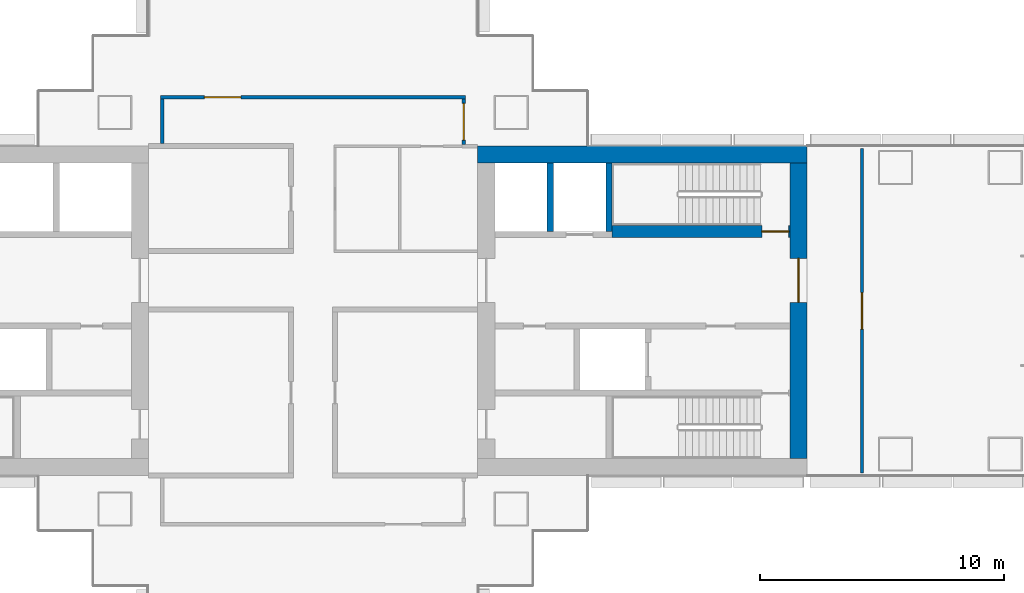
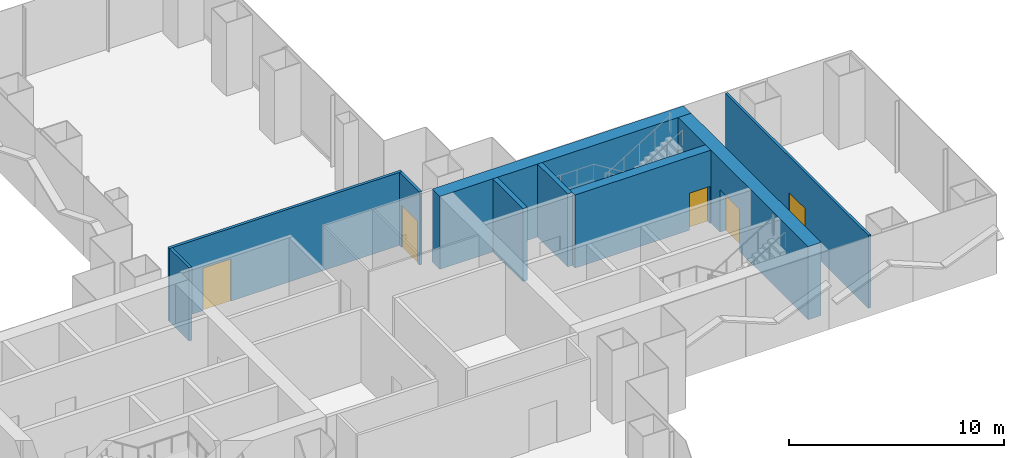
# One storey, part 17 of 22: 9 walls, 5 doors, 5 openings.
"""IFC4 building model written with IfcOpenShell, lengths in metres."""

from ifc_helpers import new_model, si_unit, direction, frame, frame_2d, origin, place, context, subcontext, project, spatial, rectangle, extrude, material, layer, layer_set, type_object, element, fill, save


model = new_model("IFC4")

# Units and contexts
model_context = context("Model", 3, precision=1e-05, world=origin(), true_north=direction((0.0, 1.0)))
body_context = subcontext(model_context, "Body", "Model", "MODEL_VIEW")
ifc_project = project(units=[si_unit("LENGTHUNIT", "METRE"), si_unit("AREAUNIT", "SQUARE_METRE"), si_unit("VOLUMEUNIT", "CUBIC_METRE"), si_unit("PLANEANGLEUNIT", "RADIAN"), si_unit("MASSUNIT", "GRAM", prefix="KILO")], contexts=[model_context])

# Site, building, storey
site_placement = place(None, origin())
site = spatial("IfcSite", under=ifc_project, at=site_placement, CompositionType="ELEMENT")
building_placement = place(site_placement, origin())
building = spatial("IfcBuilding", under=site, at=building_placement, Name="Shamsa Quay Exchange Towers", CompositionType="ELEMENT")
storey_placement = place(building_placement, frame((0.0, 0.0, 33.0)))
storey = spatial("IfcBuildingStorey", under=building, at=storey_placement, Name="L06", CompositionType="ELEMENT", Elevation=33.0)

# Wall
ifc_material_1 = material(Name="Concrete C80/95", Category="concrete")
ifc_layer_1 = layer(ifc_material_1, 0.699951171875)
ifc_layer_set_1 = layer_set([ifc_layer_1], Name="CORE WALL 700 C80/95")
wall_type_1 = type_object("IfcWallType", Name="CORE WALL 700 C80/95", PredefinedType="SHEAR", material=ifc_layer_set_1)
wall_1_placement = place(storey_placement, frame((54.0, 6.39990234375, 0.0), z_axis=(0.0, 0.0, 1.0), x_axis=(-1.0, 0.0, 0.0)))
element("IfcWall", 1, at=wall_1_placement, inside=storey, type_object=wall_type_1, Name="Core wall T2B-R02-PN", PredefinedType="SHEAR", context=body_context, shape_type="SweptSolid", body=[
    extrude(rectangle(XDim=13.5, YDim=0.699951171875, at=frame_2d((6.75, 0.0))), origin(), (0.0, 0.0, 1.0), 4.14990234375),
])

# Wall, opening, door
wall_2_placement = place(storey_placement, frame((53.64990234375, -6.050048828125, 0.0), z_axis=(0.0, 0.0, 1.0), x_axis=(0.0, 1.0, 0.0)))
wall_2 = element("IfcWall", 2, at=wall_2_placement, inside=storey, type_object=wall_type_1, Name="Core wall T2B-R02-PF", PredefinedType="SHEAR", context=body_context, shape_type="SweptSolid", body=[
    extrude(rectangle(XDim=12.10009765625, YDim=0.699951171875, at=frame_2d((6.050048828125, 0.0))), origin(), (0.0, 0.0, 1.0), 4.14990234375),
])
opening_1_placement = place(wall_2_placement, frame((6.39990234375, 0.0, 0.0)))
opening_1 = element("IfcOpeningElement", 3, at=opening_1_placement, cuts=wall_2, Name="Opening T2B-R02-LBD01", PredefinedType="OPENING", context=body_context, shape_type="SweptSolid", body=[
    extrude(rectangle(XDim=1.800048828125, YDim=2.39990234375, at=frame_2d((0.89990234375, 1.199951171875))), frame((0.0, 0.35986328125, 0.0), z_axis=(0.0, -1.0, 0.0), x_axis=(1.0, 0.0, 0.0)), (0.0, 0.0, 1.0), 0.719970703125),
])
ifc_material_2 = material(Name="Steel, fire rated", Category="steel")
door_type_1 = type_object("IfcDoorType", Name="LIFT LOBBY DOOR PAIR 1800", OperationType="DOUBLE_DOOR_SINGLE_SWING", PredefinedType="DOOR", material=ifc_material_2)
door_1_placement = place(opening_1_placement, origin())
door_1 = element("IfcDoor", 4, at=door_1_placement, inside=storey, type_object=door_type_1, Name="T2B-R02-LBD01", OperationType="DOUBLE_DOOR_SINGLE_SWING", OverallHeight=2.39990234375, OverallWidth=1.800048828125, PredefinedType="DOOR", context=body_context, shape_type="SweptSolid", body=[
    extrude(rectangle(XDim=1.800048828125, YDim=2.39990234375, at=frame_2d((0.89990234375, 1.199951171875))), frame((0.0, 0.02490234375, 0.0), z_axis=(0.0, -1.0, 0.0), x_axis=(1.0, 0.0, 0.0)), (0.0, 0.0, 1.0), 0.050048828125),
])
fill(opening_1, door_1)

ifc_material_3 = material(Name="Laminated fire-resisting glass in a metal frame", Category="glass")
ifc_layer_2 = layer(ifc_material_3, 0.125)
ifc_layer_set_2 = layer_set([ifc_layer_2], Name="Glazed partition 125 mm EI 60")
wall_type_2 = type_object("IfcWallType", Name="Glazed partition 125 mm EI 60", PredefinedType="PARTITIONING", material=ifc_layer_set_2)
wall_3_placement = place(storey_placement, frame((56.25, -6.655029296875, 0.0), z_axis=(0.0, 0.0, 1.0), x_axis=(0.0, 1.0, 0.0)))
wall_3 = element("IfcWall", 5, at=wall_3_placement, inside=storey, type_object=wall_type_2, Name="Partition T2-R02-W19", PredefinedType="PARTITIONING", context=body_context, shape_type="SweptSolid", body=[
    extrude(rectangle(XDim=13.31005859375, YDim=0.125, at=frame_2d((6.655029296875, 0.0))), origin(), (0.0, 0.0, 1.0), 4.14990234375),
])
opening_2_placement = place(wall_3_placement, frame((5.905029296875, 0.0, 0.0)))
opening_2 = element("IfcOpeningElement", 6, at=opening_2_placement, cuts=wall_3, Name="Opening T2-R02-D01", PredefinedType="OPENING", context=body_context, shape_type="SweptSolid", body=[
    extrude(rectangle(XDim=1.5, YDim=2.10009765625, at=frame_2d((0.75, 1.050048828125))), frame((0.0, 0.072509765625, 0.0), z_axis=(0.0, -1.0, 0.0), x_axis=(1.0, 0.0, 0.0)), (0.0, 0.0, 1.0), 0.14501953125),
])
ifc_material_4 = material(Name="Timber door leaf in a metal frame", Category="wood")
door_type_2 = type_object("IfcDoorType", Name="Door 1500x2100 FD30S pair", OperationType="NOTDEFINED", PredefinedType="DOOR", material=ifc_material_4)
door_2_placement = place(opening_2_placement, origin())
door_2 = element("IfcDoor", 7, at=door_2_placement, inside=storey, type_object=door_type_2, Name="Door T2-R02-D01", OperationType="DOUBLE_DOOR_SINGLE_SWING", OverallHeight=2.10009765625, OverallWidth=1.5, PredefinedType="DOOR", context=body_context, shape_type="SweptSolid", body=[
    extrude(rectangle(XDim=1.5, YDim=2.10009765625, at=frame_2d((0.75, 1.050048828125))), frame((0.0, 0.02490234375, 0.0), z_axis=(0.0, -1.0, 0.0), x_axis=(1.0, 0.0, 0.0)), (0.0, 0.0, 1.0), 0.050048828125),
])
fill(opening_2, door_2)

ifc_material_5 = material(Name="Gypsum board partition on metal studs")
ifc_layer_3 = layer(ifc_material_5, 0.14990234375)
ifc_layer_set_3 = layer_set([ifc_layer_3], Name="Partition 150 mm EI 60")
wall_type_3 = type_object("IfcWallType", Name="Partition 150 mm EI 60", PredefinedType="PARTITIONING", material=ifc_layer_set_3)
wall_4_placement = place(storey_placement, frame((39.9248046875, 6.824951171875, 0.0), z_axis=(0.0, 0.0, 1.0), x_axis=(0.0, 1.0, 0.0)))
wall_4 = element("IfcWall", 8, at=wall_4_placement, inside=storey, type_object=wall_type_3, Name="Partition T2-R02-W13", PredefinedType="PARTITIONING", context=body_context, shape_type="SweptSolid", body=[
    extrude(rectangle(XDim=1.85009765625, YDim=0.14990234375, at=frame_2d((0.925048828125, 0.0))), origin(), (0.0, 0.0, 1.0), 4.14990234375),
])
opening_3_placement = place(wall_4_placement, frame((0.175048828125, 0.0, 0.0)))
opening_3 = element("IfcOpeningElement", 9, at=opening_3_placement, cuts=wall_4, Name="Opening T2-R02-D04", PredefinedType="OPENING", context=body_context, shape_type="SweptSolid", body=[
    extrude(rectangle(XDim=1.5, YDim=2.39990234375, at=frame_2d((0.75, 1.199951171875))), frame((0.0, 0.0849609375, 0.0), z_axis=(0.0, -1.0, 0.0), x_axis=(1.0, 0.0, 0.0)), (0.0, 0.0, 1.0), 0.169921875),
])
door_type_3 = type_object("IfcDoorType", Name="Door 1500x2400 FD30S pair", OperationType="NOTDEFINED", PredefinedType="DOOR", material=ifc_material_4)
door_3_placement = place(opening_3_placement, origin())
door_3 = element("IfcDoor", 10, at=door_3_placement, inside=storey, type_object=door_type_3, Name="Door T2-R02-D04", OperationType="DOUBLE_DOOR_SINGLE_SWING", OverallHeight=2.39990234375, OverallWidth=1.5, PredefinedType="DOOR", context=body_context, shape_type="SweptSolid", body=[
    extrude(rectangle(XDim=1.5, YDim=2.39990234375, at=frame_2d((0.75, 1.199951171875))), frame((0.0, 0.02490234375, 0.0), z_axis=(0.0, -1.0, 0.0), x_axis=(1.0, 0.0, 0.0)), (0.0, 0.0, 1.0), 0.050048828125),
])
fill(opening_3, door_3)

wall_5_placement = place(storey_placement, frame((39.999755859375, 8.75, 0.0), z_axis=(0.0, 0.0, 1.0), x_axis=(-1.0, 0.0, 0.0)))
wall_5 = element("IfcWall", 11, at=wall_5_placement, inside=storey, type_object=wall_type_3, Name="Partition T2-R02-W15", PredefinedType="PARTITIONING", context=body_context, shape_type="SweptSolid", body=[
    extrude(rectangle(XDim=12.49951171875, YDim=0.14990234375, at=frame_2d((6.249755859375, 0.0))), origin(), (0.0, 0.0, 1.0), 4.14990234375),
])
opening_4_placement = place(wall_5_placement, frame((9.20458984375, 0.0, 0.0)))
opening_4 = element("IfcOpeningElement", 12, at=opening_4_placement, cuts=wall_5, Name="Opening T2-R02-D10", PredefinedType="OPENING", context=body_context, shape_type="SweptSolid", body=[
    extrude(rectangle(XDim=1.5, YDim=2.39990234375, at=frame_2d((0.75, 1.199951171875))), frame((0.0, 0.0849609375, 0.0), z_axis=(0.0, -1.0, 0.0), x_axis=(1.0, 0.0, 0.0)), (0.0, 0.0, 1.0), 0.169921875),
])
door_4_placement = place(opening_4_placement, origin())
door_4 = element("IfcDoor", 13, at=door_4_placement, inside=storey, type_object=door_type_3, Name="Door T2-R02-D10", OperationType="DOUBLE_DOOR_SINGLE_SWING", OverallHeight=2.39990234375, OverallWidth=1.5, PredefinedType="DOOR", context=body_context, shape_type="SweptSolid", body=[
    extrude(rectangle(XDim=1.5, YDim=2.39990234375, at=frame_2d((0.75, 1.199951171875))), frame((0.0, 0.02490234375, 0.0), z_axis=(0.0, -1.0, 0.0), x_axis=(1.0, 0.0, 0.0)), (0.0, 0.0, 1.0), 0.050048828125),
])
fill(opening_4, door_4)

# Walls
wall_6_placement = place(storey_placement, frame((27.5751953125, 8.675048828125, 0.0), z_axis=(0.0, 0.0, 1.0), x_axis=(0.0, -1.0, 0.0)))
element("IfcWall", 14, at=wall_6_placement, inside=storey, type_object=wall_type_3, Name="Partition T2-R02-W17", PredefinedType="PARTITIONING", context=body_context, shape_type="SweptSolid", body=[
    extrude(rectangle(XDim=1.824951171875, YDim=0.14990234375, at=frame_2d((0.91259765625, 0.0))), origin(), (0.0, 0.0, 1.0), 4.14990234375),
])
ifc_material_6 = material(Name="Concrete C50/60", Category="concrete")
ifc_layer_4 = layer(ifc_material_6, 0.25)
ifc_layer_set_4 = layer_set([ifc_layer_4], Name="SHAFT WALL 250 C50/60")
wall_type_4 = type_object("IfcWallType", Name="SHAFT WALL 250 C50/60", PredefinedType="SHEAR", material=ifc_layer_set_4)
for number, where, z_axis, x_axis, name in (
    (15, (45.875, 3.25, 0.0), (0.0, 0.0, 1.0), (0.0, 1.0, 0.0), "Shaft wall T2B-R02-STF2"),
    (16, (43.47509765625, 3.25, 0.0), (0.0, 0.0, 1.0), (0.0, 1.0, 0.0), "Shaft wall T2B-R02-D0"),
):
    element("IfcWall", number, at=place(storey_placement, frame(where, z_axis=z_axis, x_axis=x_axis)), inside=storey, type_object=wall_type_4, Name=name, PredefinedType="SHEAR", context=body_context, shape_type="SweptSolid", body=[
        extrude(rectangle(XDim=2.800048828125, YDim=0.25, at=frame_2d((1.39990234375, 0.0))), origin(), (0.0, 0.0, 1.0), 4.14990234375),
    ])

# Wall, opening, door
ifc_layer_5 = layer(ifc_material_6, 0.5)
ifc_layer_set_5 = layer_set([ifc_layer_5], Name="SHAFT WALL 500 C50/60")
wall_type_5 = type_object("IfcWallType", Name="SHAFT WALL 500 C50/60", PredefinedType="SHEAR", material=ifc_layer_set_5)
wall_7_placement = place(storey_placement, frame((46.0, 3.25, 0.0)))
wall_7 = element("IfcWall", 17, at=wall_7_placement, inside=storey, type_object=wall_type_5, Name="Shaft wall T2B-R02-N", PredefinedType="SHEAR", context=body_context, shape_type="SweptSolid", body=[
    extrude(rectangle(XDim=7.300048828125, YDim=0.5, at=frame_2d((3.64990234375, 0.0))), origin(), (0.0, 0.0, 1.0), 4.14990234375),
])
opening_5_placement = place(wall_7_placement, frame((6.14990234375, 0.0, 0.0)))
opening_5 = element("IfcOpeningElement", 18, at=opening_5_placement, cuts=wall_7, Name="Opening T2B-R02-SD08", PredefinedType="OPENING", context=body_context, shape_type="SweptSolid", body=[
    extrude(rectangle(XDim=1.10009765625, YDim=2.10009765625, at=frame_2d((0.550048828125, 1.050048828125))), frame((0.0, 0.260009765625, 0.0), z_axis=(0.0, -1.0, 0.0), x_axis=(1.0, 0.0, 0.0)), (0.0, 0.0, 1.0), 0.52001953125),
])
door_type_4 = type_object("IfcDoorType", Name="STAIR DOOR 1100", OperationType="SINGLE_SWING_LEFT", PredefinedType="DOOR", material=ifc_material_2)
door_5_placement = place(opening_5_placement, origin())
door_5 = element("IfcDoor", 19, at=door_5_placement, inside=storey, type_object=door_type_4, Name="T2B-R02-SD08", OperationType="SINGLE_SWING_RIGHT", OverallHeight=2.10009765625, OverallWidth=1.10009765625, PredefinedType="DOOR", context=body_context, shape_type="SweptSolid", body=[
    extrude(rectangle(XDim=1.10009765625, YDim=2.10009765625, at=frame_2d((0.550048828125, 1.050048828125))), frame((0.0, 0.02490234375, 0.0), z_axis=(0.0, -1.0, 0.0), x_axis=(1.0, 0.0, 0.0)), (0.0, 0.0, 1.0), 0.050048828125),
])
fill(opening_5, door_5)

save(model, "model.ifc")
